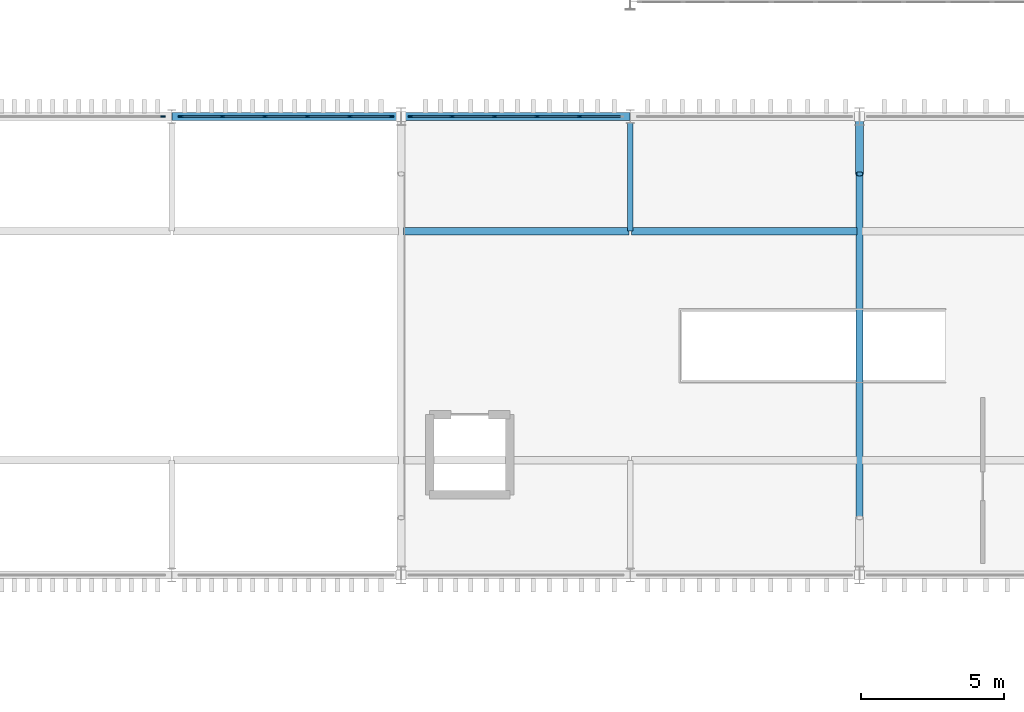
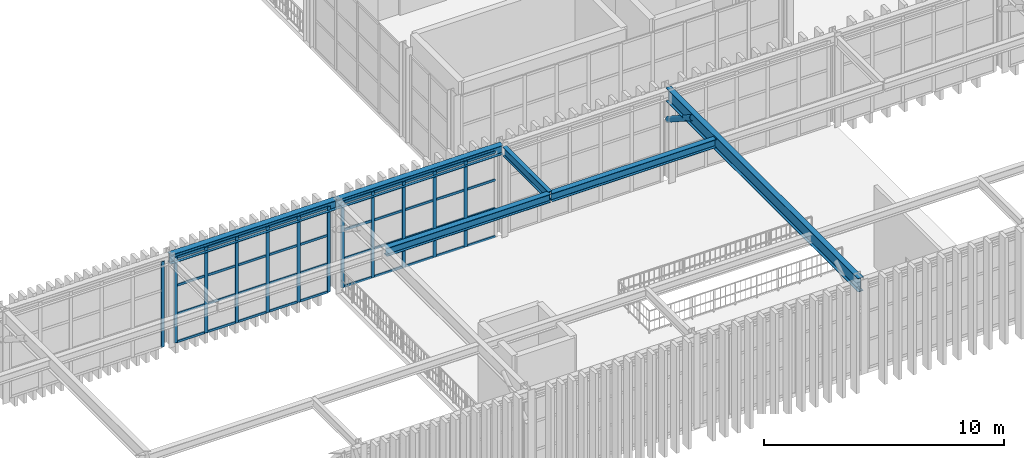
# One storey, part 24 of 61: 53 members, 6 beams, 3 elements without a shape of their own.
"""IFC4 building model written with IfcOpenShell, lengths in metres."""

from ifc_helpers import new_model, si_unit, direction, frame, origin, origin_2d, place, context, subcontext, project, spatial, rectangle, hollow_circle, i_section, extrude, material, material_profile, profile_set, type_object, element, aggregate, save


model = new_model("IFC4")

# Units and contexts
model_context = context("Model", 3, precision=1e-05, world=origin(), true_north=direction((0.0, 1.0)))
body_context = subcontext(model_context, "Body", "Model", "MODEL_VIEW")
ifc_project = project(units=[si_unit("LENGTHUNIT", "METRE"), si_unit("AREAUNIT", "SQUARE_METRE"), si_unit("VOLUMEUNIT", "CUBIC_METRE"), si_unit("PLANEANGLEUNIT", "RADIAN"), si_unit("MASSUNIT", "GRAM", prefix="KILO")], contexts=[model_context])

# Site, building, storey
site_placement = place(None, origin())
site = spatial("IfcSite", under=ifc_project, at=site_placement, CompositionType="ELEMENT")
building_placement = place(site_placement, origin())
building = spatial("IfcBuilding", under=site, at=building_placement, Name="Serraluz Foothill Cableway Terminal", CompositionType="ELEMENT")
storey_placement = place(building_placement, frame((0.0, 0.0, 15.0)))
storey = spatial("IfcBuildingStorey", under=building, at=storey_placement, Name="L03", CompositionType="ELEMENT", Elevation=15.0)

# Beam
ifc_material_1 = material(Name="Steel ASTM A992 Grade 50", Category="steel")
ifc_material_profile_1 = material_profile(ifc_material_1, i_section(OverallWidth=0.256103515625, OverallDepth=0.693115234375, WebThickness=0.014404296875, FlangeThickness=0.023681640625, FilletRadius=0.02001953125, at=origin_2d()), Name="W27X114")
ifc_profile_set_1 = profile_set([ifc_material_profile_1], Name="Steel ASTM A992 Grade 50")
beam_type_1 = type_object("IfcBeamType", Name="TYP-BM-W27X114", PredefinedType="BEAM", material=ifc_profile_set_1)
beam_1_placement = place(storey_placement, frame((88.0, 56.0, 4.35009765625), z_axis=(0.0, 1.0, 0.0), x_axis=(-1.0, 0.0, 0.0)))
element("IfcBeam", 1, at=beam_1_placement, inside=storey, type_object=beam_type_1, Name="ROOF TRUSS TR-04 Tie Girder", PredefinedType="BEAM", context=body_context, shape_type="SweptSolid", body=[
    extrude(i_section(OverallWidth=0.256103515625, OverallDepth=0.693115234375, WebThickness=0.014404296875, FlangeThickness=0.023681640625, FilletRadius=0.02001953125, at=origin_2d()), origin(), (0.0, 0.0, 1.0), 16.0),
])

# Curtain wall, member
ifc_material_2 = material(Name="Architectural bronze alloy C28000", Category="aluminium")
curtain_wall_type_1 = type_object("IfcCurtainWallType", Name="TYP-CW-480X380", PredefinedType="NOTDEFINED", material=ifc_material_2)
curtain_wall_1_placement = place(storey_placement, origin())
curtain_wall_1 = element("IfcCurtainWall", 2, at=curtain_wall_1_placement, inside=storey, type_object=curtain_wall_type_1, Name="Ribbed Glazed Curtain Wall CW-V1N-L03-56", PredefinedType="NOTDEFINED")
ifc_material_profile_2 = material_profile(ifc_material_2, rectangle(XDim=0.06005859375, YDim=0.159912109375, at=origin_2d()), Name="ALU MULLION 60x160")
ifc_profile_set_2 = profile_set([ifc_material_profile_2], Name="Architectural bronze alloy C28000")
member_type_1 = type_object("IfcMemberType", Name="TYP-CW-MUL-60X160", PredefinedType="MULLION", material=ifc_profile_set_2)
member_1_placement = place(storey_placement, frame((63.6884765625, 72.0, 0.0), z_axis=(0.0, 0.0, 1.0), x_axis=(0.0, 1.0, 0.0)))
member_1 = element("IfcMember", 3, at=member_1_placement, type_object=member_type_1, Name="CW-14 mullion 6", PredefinedType="MULLION", context=body_context, shape_type="SweptSolid", body=[
    extrude(rectangle(XDim=0.06005859375, YDim=0.159912109375, at=origin_2d()), origin(), (0.0, 0.0, 1.0), 4.35009765625),
])
aggregate(curtain_wall_1, [member_1])

# Curtain wall, members
curtain_wall_type_2 = type_object("IfcCurtainWallType", Name="TYP-CW-480X420", PredefinedType="NOTDEFINED", material=ifc_material_2)
curtain_wall_2_placement = place(storey_placement, origin())
curtain_wall_2 = element("IfcCurtainWall", 4, at=curtain_wall_2_placement, inside=storey, type_object=curtain_wall_type_2, Name="Ribbed Glazed Curtain Wall CW-V1N-L03-64", PredefinedType="NOTDEFINED")
member_2_placement = place(storey_placement, frame((64.3115234375, 72.0, 0.0), z_axis=(0.0, 0.0, 1.0), x_axis=(0.0, 1.0, 0.0)))
member_2 = element("IfcMember", 5, at=member_2_placement, type_object=member_type_1, Name="CW-15 mullion 1", PredefinedType="MULLION", context=body_context, shape_type="SweptSolid", body=[
    extrude(rectangle(XDim=0.06005859375, YDim=0.159912109375, at=origin_2d()), origin(), (0.0, 0.0, 1.0), 4.35009765625),
])
member_3_placement = place(storey_placement, frame((65.7646484375, 72.0, 0.0), z_axis=(0.0, 0.0, 1.0), x_axis=(0.0, 1.0, 0.0)))
member_3 = element("IfcMember", 6, at=member_3_placement, type_object=member_type_1, Name="CW-15 mullion 2", PredefinedType="MULLION", context=body_context, shape_type="SweptSolid", body=[
    extrude(rectangle(XDim=0.06005859375, YDim=0.159912109375, at=origin_2d()), origin(), (0.0, 0.0, 1.0), 4.35009765625),
])
member_4_placement = place(storey_placement, frame((67.247802734375, 72.0, 0.0), z_axis=(0.0, 0.0, 1.0), x_axis=(0.0, 1.0, 0.0)))
member_4 = element("IfcMember", 7, at=member_4_placement, type_object=member_type_1, Name="CW-15 mullion 3", PredefinedType="MULLION", context=body_context, shape_type="SweptSolid", body=[
    extrude(rectangle(XDim=0.06005859375, YDim=0.159912109375, at=origin_2d()), origin(), (0.0, 0.0, 1.0), 4.35009765625),
])
member_5_placement = place(storey_placement, frame((68.731201171875, 72.0, 0.0), z_axis=(0.0, 0.0, 1.0), x_axis=(0.0, 1.0, 0.0)))
member_5 = element("IfcMember", 8, at=member_5_placement, type_object=member_type_1, Name="CW-15 mullion 4", PredefinedType="MULLION", context=body_context, shape_type="SweptSolid", body=[
    extrude(rectangle(XDim=0.06005859375, YDim=0.159912109375, at=origin_2d()), origin(), (0.0, 0.0, 1.0), 4.35009765625),
])
member_6_placement = place(storey_placement, frame((70.21435546875, 72.0, 0.0), z_axis=(0.0, 0.0, 1.0), x_axis=(0.0, 1.0, 0.0)))
member_6 = element("IfcMember", 9, at=member_6_placement, type_object=member_type_1, Name="CW-15 mullion 5", PredefinedType="MULLION", context=body_context, shape_type="SweptSolid", body=[
    extrude(rectangle(XDim=0.06005859375, YDim=0.159912109375, at=origin_2d()), origin(), (0.0, 0.0, 1.0), 4.35009765625),
])
member_7_placement = place(storey_placement, frame((71.66748046875, 72.0, 0.0), z_axis=(0.0, 0.0, 1.0), x_axis=(0.0, 1.0, 0.0)))
member_7 = element("IfcMember", 10, at=member_7_placement, type_object=member_type_1, Name="CW-15 mullion 6", PredefinedType="MULLION", context=body_context, shape_type="SweptSolid", body=[
    extrude(rectangle(XDim=0.06005859375, YDim=0.159912109375, at=origin_2d()), origin(), (0.0, 0.0, 1.0), 4.35009765625),
])

curtain_wall_type_3 = type_object("IfcCurtainWallType", Name="TYP-CW-440X360", PredefinedType="NOTDEFINED", material=ifc_material_2)
curtain_wall_3_placement = place(storey_placement, origin())
curtain_wall_3 = element("IfcCurtainWall", 11, at=curtain_wall_3_placement, inside=storey, type_object=curtain_wall_type_3, Name="Ribbed Glazed Curtain Wall CW-V1N-L03-72", PredefinedType="NOTDEFINED")
member_8_placement = place(storey_placement, frame((72.33251953125, 72.0, 0.0), z_axis=(0.0, 0.0, 1.0), x_axis=(0.0, 1.0, 0.0)))
member_8 = element("IfcMember", 12, at=member_8_placement, type_object=member_type_1, Name="CW-16 mullion 1", PredefinedType="MULLION", context=body_context, shape_type="SweptSolid", body=[
    extrude(rectangle(XDim=0.06005859375, YDim=0.159912109375, at=origin_2d()), origin(), (0.0, 0.0, 1.0), 4.35009765625),
])
member_9_placement = place(storey_placement, frame((73.78564453125, 72.0, 0.0), z_axis=(0.0, 0.0, 1.0), x_axis=(0.0, 1.0, 0.0)))
member_9 = element("IfcMember", 13, at=member_9_placement, type_object=member_type_1, Name="CW-16 mullion 2", PredefinedType="MULLION", context=body_context, shape_type="SweptSolid", body=[
    extrude(rectangle(XDim=0.06005859375, YDim=0.159912109375, at=origin_2d()), origin(), (0.0, 0.0, 1.0), 4.35009765625),
])
member_10_placement = place(storey_placement, frame((75.268798828125, 72.0, 0.0), z_axis=(0.0, 0.0, 1.0), x_axis=(0.0, 1.0, 0.0)))
member_10 = element("IfcMember", 14, at=member_10_placement, type_object=member_type_1, Name="CW-16 mullion 3", PredefinedType="MULLION", context=body_context, shape_type="SweptSolid", body=[
    extrude(rectangle(XDim=0.06005859375, YDim=0.159912109375, at=origin_2d()), origin(), (0.0, 0.0, 1.0), 4.35009765625),
])
member_11_placement = place(storey_placement, frame((76.752197265625, 72.0, 0.0), z_axis=(0.0, 0.0, 1.0), x_axis=(0.0, 1.0, 0.0)))
member_11 = element("IfcMember", 15, at=member_11_placement, type_object=member_type_1, Name="CW-16 mullion 4", PredefinedType="MULLION", context=body_context, shape_type="SweptSolid", body=[
    extrude(rectangle(XDim=0.06005859375, YDim=0.159912109375, at=origin_2d()), origin(), (0.0, 0.0, 1.0), 4.35009765625),
])
member_12_placement = place(storey_placement, frame((78.2353515625, 72.0, 0.0), z_axis=(0.0, 0.0, 1.0), x_axis=(0.0, 1.0, 0.0)))
member_12 = element("IfcMember", 16, at=member_12_placement, type_object=member_type_1, Name="CW-16 mullion 5", PredefinedType="MULLION", context=body_context, shape_type="SweptSolid", body=[
    extrude(rectangle(XDim=0.06005859375, YDim=0.159912109375, at=origin_2d()), origin(), (0.0, 0.0, 1.0), 4.35009765625),
])

# Member
ifc_material_profile_3 = material_profile(ifc_material_2, rectangle(XDim=0.06005859375, YDim=0.1201171875, at=origin_2d()), Name="ALU TRANSOM 60x120")
ifc_profile_set_3 = profile_set([ifc_material_profile_3], Name="Architectural bronze alloy C28000")
member_type_2 = type_object("IfcMemberType", Name="TYP-CW-TRN-60X120", PredefinedType="USERDEFINED", material=ifc_profile_set_3)
member_13_placement = place(storey_placement, frame((64.341552734375, 72.0, 0.030029296875), z_axis=(1.0, 0.0, 0.0), x_axis=(0.0, 1.0, 0.0)))
member_13 = element("IfcMember", 17, at=member_13_placement, type_object=member_type_2, Name="CW-15 transom 1.1", ObjectType="TRANSOM", PredefinedType="USERDEFINED", context=body_context, shape_type="SweptSolid", body=[
    extrude(rectangle(XDim=0.06005859375, YDim=0.1201171875, at=origin_2d()), origin(), (0.0, 0.0, 1.0), 1.39306640625),
])

member_14_placement = place(storey_placement, frame((64.341552734375, 72.0, 1.449951171875), z_axis=(1.0, 0.0, 0.0), x_axis=(0.0, 1.0, 0.0)))
member_14 = element("IfcMember", 18, at=member_14_placement, type_object=member_type_2, Name="CW-15 transom 1.2", ObjectType="TRANSOM", PredefinedType="USERDEFINED", context=body_context, shape_type="SweptSolid", body=[
    extrude(rectangle(XDim=0.06005859375, YDim=0.1201171875, at=origin_2d()), origin(), (0.0, 0.0, 1.0), 1.39306640625),
])

member_15_placement = place(storey_placement, frame((64.341552734375, 72.0, 2.89990234375), z_axis=(1.0, 0.0, 0.0), x_axis=(0.0, 1.0, 0.0)))
member_15 = element("IfcMember", 19, at=member_15_placement, type_object=member_type_2, Name="CW-15 transom 1.3", ObjectType="TRANSOM", PredefinedType="USERDEFINED", context=body_context, shape_type="SweptSolid", body=[
    extrude(rectangle(XDim=0.06005859375, YDim=0.1201171875, at=origin_2d()), origin(), (0.0, 0.0, 1.0), 1.39306640625),
])

member_16_placement = place(storey_placement, frame((64.341552734375, 72.0, 4.320068359375), z_axis=(1.0, 0.0, 0.0), x_axis=(0.0, 1.0, 0.0)))
member_16 = element("IfcMember", 20, at=member_16_placement, type_object=member_type_2, Name="CW-15 transom 1.4", ObjectType="TRANSOM", PredefinedType="USERDEFINED", context=body_context, shape_type="SweptSolid", body=[
    extrude(rectangle(XDim=0.06005859375, YDim=0.1201171875, at=origin_2d()), origin(), (0.0, 0.0, 1.0), 1.39306640625),
])

member_17_placement = place(storey_placement, frame((65.794677734375, 72.0, 0.030029296875), z_axis=(1.0, 0.0, 0.0), x_axis=(0.0, 1.0, 0.0)))
member_17 = element("IfcMember", 21, at=member_17_placement, type_object=member_type_2, Name="CW-15 transom 2.1", ObjectType="TRANSOM", PredefinedType="USERDEFINED", context=body_context, shape_type="SweptSolid", body=[
    extrude(rectangle(XDim=0.06005859375, YDim=0.1201171875, at=origin_2d()), origin(), (0.0, 0.0, 1.0), 1.42333984375),
])

member_18_placement = place(storey_placement, frame((65.794677734375, 72.0, 1.449951171875), z_axis=(1.0, 0.0, 0.0), x_axis=(0.0, 1.0, 0.0)))
member_18 = element("IfcMember", 22, at=member_18_placement, type_object=member_type_2, Name="CW-15 transom 2.2", ObjectType="TRANSOM", PredefinedType="USERDEFINED", context=body_context, shape_type="SweptSolid", body=[
    extrude(rectangle(XDim=0.06005859375, YDim=0.1201171875, at=origin_2d()), origin(), (0.0, 0.0, 1.0), 1.42333984375),
])

member_19_placement = place(storey_placement, frame((65.794677734375, 72.0, 2.89990234375), z_axis=(1.0, 0.0, 0.0), x_axis=(0.0, 1.0, 0.0)))
member_19 = element("IfcMember", 23, at=member_19_placement, type_object=member_type_2, Name="CW-15 transom 2.3", ObjectType="TRANSOM", PredefinedType="USERDEFINED", context=body_context, shape_type="SweptSolid", body=[
    extrude(rectangle(XDim=0.06005859375, YDim=0.1201171875, at=origin_2d()), origin(), (0.0, 0.0, 1.0), 1.42333984375),
])

member_20_placement = place(storey_placement, frame((65.794677734375, 72.0, 4.320068359375), z_axis=(1.0, 0.0, 0.0), x_axis=(0.0, 1.0, 0.0)))
member_20 = element("IfcMember", 24, at=member_20_placement, type_object=member_type_2, Name="CW-15 transom 2.4", ObjectType="TRANSOM", PredefinedType="USERDEFINED", context=body_context, shape_type="SweptSolid", body=[
    extrude(rectangle(XDim=0.06005859375, YDim=0.1201171875, at=origin_2d()), origin(), (0.0, 0.0, 1.0), 1.42333984375),
])

member_21_placement = place(storey_placement, frame((67.27783203125, 72.0, 0.030029296875), z_axis=(1.0, 0.0, 0.0), x_axis=(0.0, 1.0, 0.0)))
member_21 = element("IfcMember", 25, at=member_21_placement, type_object=member_type_2, Name="CW-15 transom 3.1", ObjectType="TRANSOM", PredefinedType="USERDEFINED", context=body_context, shape_type="SweptSolid", body=[
    extrude(rectangle(XDim=0.06005859375, YDim=0.1201171875, at=origin_2d()), origin(), (0.0, 0.0, 1.0), 1.42333984375),
])

member_22_placement = place(storey_placement, frame((67.27783203125, 72.0, 1.449951171875), z_axis=(1.0, 0.0, 0.0), x_axis=(0.0, 1.0, 0.0)))
member_22 = element("IfcMember", 26, at=member_22_placement, type_object=member_type_2, Name="CW-15 transom 3.2", ObjectType="TRANSOM", PredefinedType="USERDEFINED", context=body_context, shape_type="SweptSolid", body=[
    extrude(rectangle(XDim=0.06005859375, YDim=0.1201171875, at=origin_2d()), origin(), (0.0, 0.0, 1.0), 1.42333984375),
])

member_23_placement = place(storey_placement, frame((67.27783203125, 72.0, 2.89990234375), z_axis=(1.0, 0.0, 0.0), x_axis=(0.0, 1.0, 0.0)))
member_23 = element("IfcMember", 27, at=member_23_placement, type_object=member_type_2, Name="CW-15 transom 3.3", ObjectType="TRANSOM", PredefinedType="USERDEFINED", context=body_context, shape_type="SweptSolid", body=[
    extrude(rectangle(XDim=0.06005859375, YDim=0.1201171875, at=origin_2d()), origin(), (0.0, 0.0, 1.0), 1.42333984375),
])

member_24_placement = place(storey_placement, frame((67.27783203125, 72.0, 4.320068359375), z_axis=(1.0, 0.0, 0.0), x_axis=(0.0, 1.0, 0.0)))
member_24 = element("IfcMember", 28, at=member_24_placement, type_object=member_type_2, Name="CW-15 transom 3.4", ObjectType="TRANSOM", PredefinedType="USERDEFINED", context=body_context, shape_type="SweptSolid", body=[
    extrude(rectangle(XDim=0.06005859375, YDim=0.1201171875, at=origin_2d()), origin(), (0.0, 0.0, 1.0), 1.42333984375),
])

member_25_placement = place(storey_placement, frame((68.760986328125, 72.0, 0.030029296875), z_axis=(1.0, 0.0, 0.0), x_axis=(0.0, 1.0, 0.0)))
member_25 = element("IfcMember", 29, at=member_25_placement, type_object=member_type_2, Name="CW-15 transom 4.1", ObjectType="TRANSOM", PredefinedType="USERDEFINED", context=body_context, shape_type="SweptSolid", body=[
    extrude(rectangle(XDim=0.06005859375, YDim=0.1201171875, at=origin_2d()), origin(), (0.0, 0.0, 1.0), 1.42333984375),
])

member_26_placement = place(storey_placement, frame((68.760986328125, 72.0, 1.449951171875), z_axis=(1.0, 0.0, 0.0), x_axis=(0.0, 1.0, 0.0)))
member_26 = element("IfcMember", 30, at=member_26_placement, type_object=member_type_2, Name="CW-15 transom 4.2", ObjectType="TRANSOM", PredefinedType="USERDEFINED", context=body_context, shape_type="SweptSolid", body=[
    extrude(rectangle(XDim=0.06005859375, YDim=0.1201171875, at=origin_2d()), origin(), (0.0, 0.0, 1.0), 1.42333984375),
])

member_27_placement = place(storey_placement, frame((68.760986328125, 72.0, 2.89990234375), z_axis=(1.0, 0.0, 0.0), x_axis=(0.0, 1.0, 0.0)))
member_27 = element("IfcMember", 31, at=member_27_placement, type_object=member_type_2, Name="CW-15 transom 4.3", ObjectType="TRANSOM", PredefinedType="USERDEFINED", context=body_context, shape_type="SweptSolid", body=[
    extrude(rectangle(XDim=0.06005859375, YDim=0.1201171875, at=origin_2d()), origin(), (0.0, 0.0, 1.0), 1.42333984375),
])

member_28_placement = place(storey_placement, frame((68.760986328125, 72.0, 4.320068359375), z_axis=(1.0, 0.0, 0.0), x_axis=(0.0, 1.0, 0.0)))
member_28 = element("IfcMember", 32, at=member_28_placement, type_object=member_type_2, Name="CW-15 transom 4.4", ObjectType="TRANSOM", PredefinedType="USERDEFINED", context=body_context, shape_type="SweptSolid", body=[
    extrude(rectangle(XDim=0.06005859375, YDim=0.1201171875, at=origin_2d()), origin(), (0.0, 0.0, 1.0), 1.42333984375),
])

member_29_placement = place(storey_placement, frame((70.244384765625, 72.0, 0.030029296875), z_axis=(1.0, 0.0, 0.0), x_axis=(0.0, 1.0, 0.0)))
member_29 = element("IfcMember", 33, at=member_29_placement, type_object=member_type_2, Name="CW-15 transom 5.1", ObjectType="TRANSOM", PredefinedType="USERDEFINED", context=body_context, shape_type="SweptSolid", body=[
    extrude(rectangle(XDim=0.06005859375, YDim=0.1201171875, at=origin_2d()), origin(), (0.0, 0.0, 1.0), 1.39306640625),
])

member_30_placement = place(storey_placement, frame((70.244384765625, 72.0, 1.449951171875), z_axis=(1.0, 0.0, 0.0), x_axis=(0.0, 1.0, 0.0)))
member_30 = element("IfcMember", 34, at=member_30_placement, type_object=member_type_2, Name="CW-15 transom 5.2", ObjectType="TRANSOM", PredefinedType="USERDEFINED", context=body_context, shape_type="SweptSolid", body=[
    extrude(rectangle(XDim=0.06005859375, YDim=0.1201171875, at=origin_2d()), origin(), (0.0, 0.0, 1.0), 1.39306640625),
])

member_31_placement = place(storey_placement, frame((70.244384765625, 72.0, 2.89990234375), z_axis=(1.0, 0.0, 0.0), x_axis=(0.0, 1.0, 0.0)))
member_31 = element("IfcMember", 35, at=member_31_placement, type_object=member_type_2, Name="CW-15 transom 5.3", ObjectType="TRANSOM", PredefinedType="USERDEFINED", context=body_context, shape_type="SweptSolid", body=[
    extrude(rectangle(XDim=0.06005859375, YDim=0.1201171875, at=origin_2d()), origin(), (0.0, 0.0, 1.0), 1.39306640625),
])

member_32_placement = place(storey_placement, frame((70.244384765625, 72.0, 4.320068359375), z_axis=(1.0, 0.0, 0.0), x_axis=(0.0, 1.0, 0.0)))
member_32 = element("IfcMember", 36, at=member_32_placement, type_object=member_type_2, Name="CW-15 transom 5.4", ObjectType="TRANSOM", PredefinedType="USERDEFINED", context=body_context, shape_type="SweptSolid", body=[
    extrude(rectangle(XDim=0.06005859375, YDim=0.1201171875, at=origin_2d()), origin(), (0.0, 0.0, 1.0), 1.39306640625),
])

aggregate(curtain_wall_2, [member_2, member_3, member_4, member_5, member_6, member_7, member_13, member_14, member_15, member_16, member_17, member_18, member_19, member_20, member_21, member_22, member_23, member_24, member_25, member_26, member_27, member_28, member_29, member_30, member_31, member_32])

member_33_placement = place(storey_placement, frame((72.362548828125, 72.0, 0.030029296875), z_axis=(1.0, 0.0, 0.0), x_axis=(0.0, 1.0, 0.0)))
member_33 = element("IfcMember", 37, at=member_33_placement, type_object=member_type_2, Name="CW-16 transom 1.1", ObjectType="TRANSOM", PredefinedType="USERDEFINED", context=body_context, shape_type="SweptSolid", body=[
    extrude(rectangle(XDim=0.06005859375, YDim=0.1201171875, at=origin_2d()), origin(), (0.0, 0.0, 1.0), 1.39306640625),
])

member_34_placement = place(storey_placement, frame((72.362548828125, 72.0, 1.449951171875), z_axis=(1.0, 0.0, 0.0), x_axis=(0.0, 1.0, 0.0)))
member_34 = element("IfcMember", 38, at=member_34_placement, type_object=member_type_2, Name="CW-16 transom 1.2", ObjectType="TRANSOM", PredefinedType="USERDEFINED", context=body_context, shape_type="SweptSolid", body=[
    extrude(rectangle(XDim=0.06005859375, YDim=0.1201171875, at=origin_2d()), origin(), (0.0, 0.0, 1.0), 1.39306640625),
])

member_35_placement = place(storey_placement, frame((72.362548828125, 72.0, 2.89990234375), z_axis=(1.0, 0.0, 0.0), x_axis=(0.0, 1.0, 0.0)))
member_35 = element("IfcMember", 39, at=member_35_placement, type_object=member_type_2, Name="CW-16 transom 1.3", ObjectType="TRANSOM", PredefinedType="USERDEFINED", context=body_context, shape_type="SweptSolid", body=[
    extrude(rectangle(XDim=0.06005859375, YDim=0.1201171875, at=origin_2d()), origin(), (0.0, 0.0, 1.0), 1.39306640625),
])

member_36_placement = place(storey_placement, frame((72.362548828125, 72.0, 4.320068359375), z_axis=(1.0, 0.0, 0.0), x_axis=(0.0, 1.0, 0.0)))
member_36 = element("IfcMember", 40, at=member_36_placement, type_object=member_type_2, Name="CW-16 transom 1.4", ObjectType="TRANSOM", PredefinedType="USERDEFINED", context=body_context, shape_type="SweptSolid", body=[
    extrude(rectangle(XDim=0.06005859375, YDim=0.1201171875, at=origin_2d()), origin(), (0.0, 0.0, 1.0), 1.39306640625),
])

member_37_placement = place(storey_placement, frame((73.815673828125, 72.0, 0.030029296875), z_axis=(1.0, 0.0, 0.0), x_axis=(0.0, 1.0, 0.0)))
member_37 = element("IfcMember", 41, at=member_37_placement, type_object=member_type_2, Name="CW-16 transom 2.1", ObjectType="TRANSOM", PredefinedType="USERDEFINED", context=body_context, shape_type="SweptSolid", body=[
    extrude(rectangle(XDim=0.06005859375, YDim=0.1201171875, at=origin_2d()), origin(), (0.0, 0.0, 1.0), 1.42333984375),
])

member_38_placement = place(storey_placement, frame((73.815673828125, 72.0, 1.449951171875), z_axis=(1.0, 0.0, 0.0), x_axis=(0.0, 1.0, 0.0)))
member_38 = element("IfcMember", 42, at=member_38_placement, type_object=member_type_2, Name="CW-16 transom 2.2", ObjectType="TRANSOM", PredefinedType="USERDEFINED", context=body_context, shape_type="SweptSolid", body=[
    extrude(rectangle(XDim=0.06005859375, YDim=0.1201171875, at=origin_2d()), origin(), (0.0, 0.0, 1.0), 1.42333984375),
])

member_39_placement = place(storey_placement, frame((73.815673828125, 72.0, 2.89990234375), z_axis=(1.0, 0.0, 0.0), x_axis=(0.0, 1.0, 0.0)))
member_39 = element("IfcMember", 43, at=member_39_placement, type_object=member_type_2, Name="CW-16 transom 2.3", ObjectType="TRANSOM", PredefinedType="USERDEFINED", context=body_context, shape_type="SweptSolid", body=[
    extrude(rectangle(XDim=0.06005859375, YDim=0.1201171875, at=origin_2d()), origin(), (0.0, 0.0, 1.0), 1.42333984375),
])

member_40_placement = place(storey_placement, frame((73.815673828125, 72.0, 4.320068359375), z_axis=(1.0, 0.0, 0.0), x_axis=(0.0, 1.0, 0.0)))
member_40 = element("IfcMember", 44, at=member_40_placement, type_object=member_type_2, Name="CW-16 transom 2.4", ObjectType="TRANSOM", PredefinedType="USERDEFINED", context=body_context, shape_type="SweptSolid", body=[
    extrude(rectangle(XDim=0.06005859375, YDim=0.1201171875, at=origin_2d()), origin(), (0.0, 0.0, 1.0), 1.42333984375),
])

member_41_placement = place(storey_placement, frame((75.298828125, 72.0, 0.030029296875), z_axis=(1.0, 0.0, 0.0), x_axis=(0.0, 1.0, 0.0)))
member_41 = element("IfcMember", 45, at=member_41_placement, type_object=member_type_2, Name="CW-16 transom 3.1", ObjectType="TRANSOM", PredefinedType="USERDEFINED", context=body_context, shape_type="SweptSolid", body=[
    extrude(rectangle(XDim=0.06005859375, YDim=0.1201171875, at=origin_2d()), origin(), (0.0, 0.0, 1.0), 1.42333984375),
])

member_42_placement = place(storey_placement, frame((75.298828125, 72.0, 1.449951171875), z_axis=(1.0, 0.0, 0.0), x_axis=(0.0, 1.0, 0.0)))
member_42 = element("IfcMember", 46, at=member_42_placement, type_object=member_type_2, Name="CW-16 transom 3.2", ObjectType="TRANSOM", PredefinedType="USERDEFINED", context=body_context, shape_type="SweptSolid", body=[
    extrude(rectangle(XDim=0.06005859375, YDim=0.1201171875, at=origin_2d()), origin(), (0.0, 0.0, 1.0), 1.42333984375),
])

member_43_placement = place(storey_placement, frame((75.298828125, 72.0, 2.89990234375), z_axis=(1.0, 0.0, 0.0), x_axis=(0.0, 1.0, 0.0)))
member_43 = element("IfcMember", 47, at=member_43_placement, type_object=member_type_2, Name="CW-16 transom 3.3", ObjectType="TRANSOM", PredefinedType="USERDEFINED", context=body_context, shape_type="SweptSolid", body=[
    extrude(rectangle(XDim=0.06005859375, YDim=0.1201171875, at=origin_2d()), origin(), (0.0, 0.0, 1.0), 1.42333984375),
])

member_44_placement = place(storey_placement, frame((75.298828125, 72.0, 4.320068359375), z_axis=(1.0, 0.0, 0.0), x_axis=(0.0, 1.0, 0.0)))
member_44 = element("IfcMember", 48, at=member_44_placement, type_object=member_type_2, Name="CW-16 transom 3.4", ObjectType="TRANSOM", PredefinedType="USERDEFINED", context=body_context, shape_type="SweptSolid", body=[
    extrude(rectangle(XDim=0.06005859375, YDim=0.1201171875, at=origin_2d()), origin(), (0.0, 0.0, 1.0), 1.42333984375),
])

member_45_placement = place(storey_placement, frame((76.781982421875, 72.0, 0.030029296875), z_axis=(1.0, 0.0, 0.0), x_axis=(0.0, 1.0, 0.0)))
member_45 = element("IfcMember", 49, at=member_45_placement, type_object=member_type_2, Name="CW-16 transom 4.1", ObjectType="TRANSOM", PredefinedType="USERDEFINED", context=body_context, shape_type="SweptSolid", body=[
    extrude(rectangle(XDim=0.06005859375, YDim=0.1201171875, at=origin_2d()), origin(), (0.0, 0.0, 1.0), 1.42333984375),
])

member_46_placement = place(storey_placement, frame((76.781982421875, 72.0, 1.449951171875), z_axis=(1.0, 0.0, 0.0), x_axis=(0.0, 1.0, 0.0)))
member_46 = element("IfcMember", 50, at=member_46_placement, type_object=member_type_2, Name="CW-16 transom 4.2", ObjectType="TRANSOM", PredefinedType="USERDEFINED", context=body_context, shape_type="SweptSolid", body=[
    extrude(rectangle(XDim=0.06005859375, YDim=0.1201171875, at=origin_2d()), origin(), (0.0, 0.0, 1.0), 1.42333984375),
])

member_47_placement = place(storey_placement, frame((76.781982421875, 72.0, 2.89990234375), z_axis=(1.0, 0.0, 0.0), x_axis=(0.0, 1.0, 0.0)))
member_47 = element("IfcMember", 51, at=member_47_placement, type_object=member_type_2, Name="CW-16 transom 4.3", ObjectType="TRANSOM", PredefinedType="USERDEFINED", context=body_context, shape_type="SweptSolid", body=[
    extrude(rectangle(XDim=0.06005859375, YDim=0.1201171875, at=origin_2d()), origin(), (0.0, 0.0, 1.0), 1.42333984375),
])

member_48_placement = place(storey_placement, frame((76.781982421875, 72.0, 4.320068359375), z_axis=(1.0, 0.0, 0.0), x_axis=(0.0, 1.0, 0.0)))
member_48 = element("IfcMember", 52, at=member_48_placement, type_object=member_type_2, Name="CW-16 transom 4.4", ObjectType="TRANSOM", PredefinedType="USERDEFINED", context=body_context, shape_type="SweptSolid", body=[
    extrude(rectangle(XDim=0.06005859375, YDim=0.1201171875, at=origin_2d()), origin(), (0.0, 0.0, 1.0), 1.42333984375),
])

member_49_placement = place(storey_placement, frame((78.265380859375, 72.0, 0.030029296875), z_axis=(1.0, 0.0, 0.0), x_axis=(0.0, 1.0, 0.0)))
member_49 = element("IfcMember", 53, at=member_49_placement, type_object=member_type_2, Name="CW-16 transom 5.1", ObjectType="TRANSOM", PredefinedType="USERDEFINED", context=body_context, shape_type="SweptSolid", body=[
    extrude(rectangle(XDim=0.06005859375, YDim=0.1201171875, at=origin_2d()), origin(), (0.0, 0.0, 1.0), 1.39306640625),
])

member_50_placement = place(storey_placement, frame((78.265380859375, 72.0, 1.449951171875), z_axis=(1.0, 0.0, 0.0), x_axis=(0.0, 1.0, 0.0)))
member_50 = element("IfcMember", 54, at=member_50_placement, type_object=member_type_2, Name="CW-16 transom 5.2", ObjectType="TRANSOM", PredefinedType="USERDEFINED", context=body_context, shape_type="SweptSolid", body=[
    extrude(rectangle(XDim=0.06005859375, YDim=0.1201171875, at=origin_2d()), origin(), (0.0, 0.0, 1.0), 1.39306640625),
])

member_51_placement = place(storey_placement, frame((78.265380859375, 72.0, 2.89990234375), z_axis=(1.0, 0.0, 0.0), x_axis=(0.0, 1.0, 0.0)))
member_51 = element("IfcMember", 55, at=member_51_placement, type_object=member_type_2, Name="CW-16 transom 5.3", ObjectType="TRANSOM", PredefinedType="USERDEFINED", context=body_context, shape_type="SweptSolid", body=[
    extrude(rectangle(XDim=0.06005859375, YDim=0.1201171875, at=origin_2d()), origin(), (0.0, 0.0, 1.0), 1.39306640625),
])

member_52_placement = place(storey_placement, frame((78.265380859375, 72.0, 4.320068359375), z_axis=(1.0, 0.0, 0.0), x_axis=(0.0, 1.0, 0.0)))
member_52 = element("IfcMember", 56, at=member_52_placement, type_object=member_type_2, Name="CW-16 transom 5.4", ObjectType="TRANSOM", PredefinedType="USERDEFINED", context=body_context, shape_type="SweptSolid", body=[
    extrude(rectangle(XDim=0.06005859375, YDim=0.1201171875, at=origin_2d()), origin(), (0.0, 0.0, 1.0), 1.39306640625),
])

aggregate(curtain_wall_3, [member_8, member_9, member_10, member_11, member_12, member_33, member_34, member_35, member_36, member_37, member_38, member_39, member_40, member_41, member_42, member_43, member_44, member_45, member_46, member_47, member_48, member_49, member_50, member_51, member_52])

# Beams
ifc_material_profile_4 = material_profile(ifc_material_1, i_section(OverallWidth=0.260009765625, OverallDepth=0.4189453125, WebThickness=0.01171875, FlangeThickness=0.019287109375, FilletRadius=0.013916015625, at=origin_2d()), Name="W16X77")
ifc_profile_set_4 = profile_set([ifc_material_profile_4], Name="Steel ASTM A992 Grade 50")
beam_type_2 = type_object("IfcBeamType", Name="TYP-JS-W16X77", PredefinedType="JOIST", material=ifc_profile_set_4)
for number, where, z_axis, x_axis, name in (
    (57, (72.0849609375, 68.0, 4.35009765625), (1.0, 0.0, 0.0), (0.0, 1.0, 0.0), "Eaves Gallery Support Beam 72-68"),
    (58, (80.0400390625, 68.0, 4.35009765625), (1.0, 0.0, 0.0), (0.0, 1.0, 0.0), "Eaves Gallery Support Beam 80-68"),
):
    element("IfcBeam", number, at=place(storey_placement, frame(where, z_axis=z_axis, x_axis=x_axis)), inside=storey, type_object=beam_type_2, Name=name, PredefinedType="JOIST", context=body_context, shape_type="SweptSolid", body=[
        extrude(i_section(OverallWidth=0.260009765625, OverallDepth=0.4189453125, WebThickness=0.01171875, FlangeThickness=0.019287109375, FilletRadius=0.013916015625, at=origin_2d()), origin(), (0.0, 0.0, 1.0), 7.875),
    ])
ifc_material_profile_5 = material_profile(ifc_material_1, i_section(OverallWidth=0.193115234375, OverallDepth=0.467041015625, WebThickness=0.011474609375, FlangeThickness=0.01904296875, FilletRadius=0.014892578125, at=origin_2d()), Name="W18X65")
ifc_profile_set_5 = profile_set([ifc_material_profile_5], Name="Steel ASTM A992 Grade 50")
beam_type_3 = type_object("IfcBeamType", Name="TYP-JS-W18X65", PredefinedType="JOIST", material=ifc_profile_set_5)
beam_2_placement = place(storey_placement, frame((80.0, 68.0, 4.3798828125), z_axis=(0.0, 1.0, 0.0), x_axis=(-1.0, 0.0, 0.0)))
element("IfcBeam", 59, at=beam_2_placement, inside=storey, type_object=beam_type_3, Name="Eaves Gallery Bracket Tie 80-68", PredefinedType="JOIST", context=body_context, shape_type="SweptSolid", body=[
    extrude(i_section(OverallWidth=0.193115234375, OverallDepth=0.467041015625, WebThickness=0.011474609375, FlangeThickness=0.01904296875, FilletRadius=0.014892578125, at=origin_2d()), origin(), (0.0, 0.0, 1.0), 3.800048828125),
])
ifc_material_profile_6 = material_profile(ifc_material_1, i_section(OverallWidth=0.282958984375, OverallDepth=0.471923828125, WebThickness=0.013671875, FlangeThickness=0.022216796875, FilletRadius=0.014892578125, at=origin_2d()), Name="W18X97")
ifc_profile_set_6 = profile_set([ifc_material_profile_6], Name="Steel ASTM A992 Grade 50")
beam_type_4 = type_object("IfcBeamType", Name="TYP-SP-W18X97", PredefinedType="SPANDREL", material=ifc_profile_set_6)
for number, where, z_axis, x_axis, name in (
    (60, (64.0048828125, 72.0, 4.384033203125), (1.0, 0.0, 0.0), (0.0, 1.0, 0.0), "Primary Girder BM-X-L03-0366"),
    (61, (72.0048828125, 72.0, 4.384033203125), (1.0, 0.0, 0.0), (0.0, 1.0, 0.0), "Primary Girder BM-X-L03-0367"),
):
    element("IfcBeam", number, at=place(storey_placement, frame(where, z_axis=z_axis, x_axis=x_axis)), inside=storey, type_object=beam_type_4, Name=name, PredefinedType="SPANDREL", context=body_context, shape_type="SweptSolid", body=[
        extrude(i_section(OverallWidth=0.282958984375, OverallDepth=0.471923828125, WebThickness=0.013671875, FlangeThickness=0.022216796875, FilletRadius=0.014892578125, at=origin_2d()), origin(), (0.0, 0.0, 1.0), 7.990234375),
    ])

# Member
ifc_material_3 = material(Name="Steel ASTM A572 Grade 50", Category="steel")
ifc_material_profile_7 = material_profile(ifc_material_3, hollow_circle(Radius=0.136474609375, WallThickness=0.011962890625, at=origin_2d()), Name="CHS273X12")
ifc_profile_set_7 = profile_set([ifc_material_profile_7], Name="Steel ASTM A572 Grade 50")
member_type_3 = type_object("IfcMemberType", Name="TYP-ST-CHS273", PredefinedType="STRUT", material=ifc_profile_set_7)
member_53_placement = place(storey_placement, frame((88.0, 72.0, 3.050048828125), z_axis=(0.0, -0.838434262763, 0.545002740383), x_axis=(1.0, 0.0, 0.0)))
element("IfcMember", 62, at=member_53_placement, inside=storey, type_object=member_type_3, Name="Portal Knee Strut STRUT-TR-04-N", PredefinedType="STRUT", context=body_context, shape_type="SweptSolid", body=[
    extrude(hollow_circle(Radius=0.136474609375, WallThickness=0.011962890625, at=origin_2d()), origin(), (0.0, 0.0, 1.0), 2.385498046875),
])

save(model, "model.ifc")
